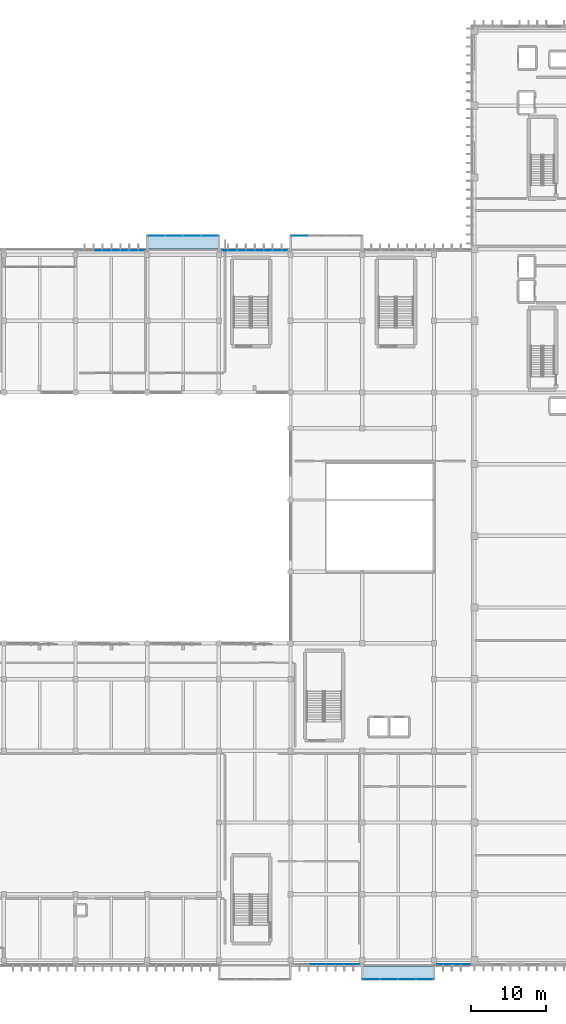
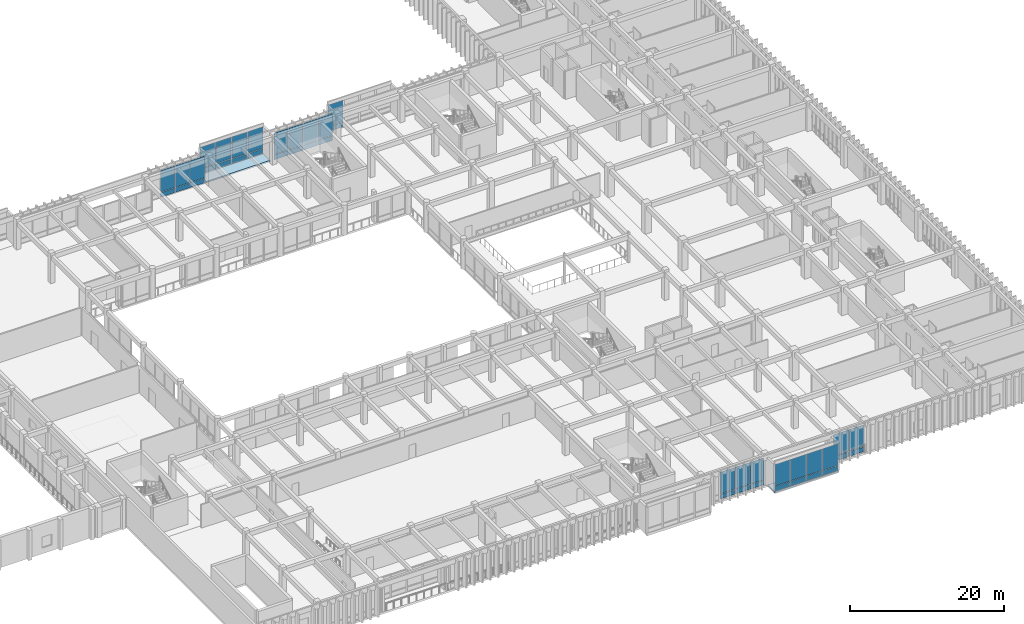
# One storey, part 92 of 133: 42 plates, 2 slabs, 7 elements without a shape of their own.
"""IFC4 building model written with IfcOpenShell, lengths in metres."""

from ifc_helpers import new_model, si_unit, direction, frame, origin, origin_2d, place, context, subcontext, project, spatial, polyline, rectangle, outline, extrude, material, layer, layer_set, type_object, element, aggregate, save


model = new_model("IFC4")

# Units and contexts
model_context = context("Model", 3, precision=1e-05, world=origin(), true_north=direction((0.0, 1.0)))
body_context = subcontext(model_context, "Body", "Model", "MODEL_VIEW")
ifc_project = project(units=[si_unit("LENGTHUNIT", "METRE"), si_unit("AREAUNIT", "SQUARE_METRE"), si_unit("VOLUMEUNIT", "CUBIC_METRE"), si_unit("PLANEANGLEUNIT", "RADIAN"), si_unit("MASSUNIT", "GRAM", prefix="KILO")], contexts=[model_context])

# Site, building, storey
site_placement = place(None, origin())
site = spatial("IfcSite", under=ifc_project, at=site_placement, CompositionType="ELEMENT")
building_placement = place(site_placement, origin())
building = spatial("IfcBuilding", under=site, at=building_placement, Name="Nakhvara Creek Congress Hotel", CompositionType="ELEMENT")
storey_placement = place(building_placement, frame((0.0, 0.0, 11.39990234375)))
storey = spatial("IfcBuildingStorey", under=building, at=storey_placement, Name="L02", CompositionType="ELEMENT", Elevation=11.39990234375)

# Curtain wall, plates
ifc_material_1 = material(Name="Bronze-anodised aluminium AW-6063-T6 and double-silver low-E glass", Category="aluminium")
ifc_layer_1 = layer(ifc_material_1, 0.219970703125)
ifc_layer_set_1 = layer_set([ifc_layer_1], Name="Bronze-anodised aluminium AW-6063-T6 and double-silver low-E glass")
curtain_wall_type_1 = type_object("IfcCurtainWallType", Name="CW-BOX-PROJ", PredefinedType="USERDEFINED", material=ifc_layer_set_1)
curtain_wall_1_placement = place(storey_placement, origin())
curtain_wall_1 = element("IfcCurtainWall", 1, at=curtain_wall_1_placement, inside=storey, type_object=curtain_wall_type_1, Name="Curtain Wall CW082", ObjectType="UNITISED", PredefinedType="USERDEFINED")
ifc_material_2 = material(Name="Double-silver solar-control low-E insulated glass", Category="glass")
plate_type = type_object("IfcPlateType", Name="PNL-GLZ-240X260", PredefinedType="CURTAIN_PANEL", material=ifc_material_2)
plate_1_placement = place(storey_placement, frame((106.820068359375, 97.800048828125, 0.0751953125), z_axis=(0.0, 0.0, 1.0), x_axis=(1.0, 0.0, 0.0)))
plate_1 = element("IfcPlate", 2, at=plate_1_placement, type_object=plate_type, Name="CW082 panel 1.1", PredefinedType="CURTAIN_PANEL", context=body_context, shape_type="SweptSolid", body=[
    extrude(rectangle(XDim=2.280029296875, YDim=0.030029296875, at=origin_2d()), origin(), (0.0, 0.0, 1.0), 0.737548828125),
])
plate_2_placement = place(storey_placement, frame((106.820068359375, 97.800048828125, 0.8876953125), z_axis=(0.0, 0.0, 1.0), x_axis=(1.0, 0.0, 0.0)))
plate_2 = element("IfcPlate", 3, at=plate_2_placement, type_object=plate_type, Name="CW082 panel 1.2", PredefinedType="CURTAIN_PANEL", context=body_context, shape_type="SweptSolid", body=[
    extrude(rectangle(XDim=2.280029296875, YDim=0.030029296875, at=origin_2d()), origin(), (0.0, 0.0, 1.0), 3.427490234375),
])
plate_3_placement = place(storey_placement, frame((109.199951171875, 97.800048828125, 0.0751953125), z_axis=(0.0, 0.0, 1.0), x_axis=(1.0, 0.0, 0.0)))
plate_3 = element("IfcPlate", 4, at=plate_3_placement, type_object=plate_type, Name="CW082 panel 2.1", PredefinedType="CURTAIN_PANEL", context=body_context, shape_type="SweptSolid", body=[
    extrude(rectangle(XDim=2.320068359375, YDim=0.030029296875, at=origin_2d()), origin(), (0.0, 0.0, 1.0), 0.737548828125),
])
plate_4_placement = place(storey_placement, frame((109.199951171875, 97.800048828125, 0.8876953125), z_axis=(0.0, 0.0, 1.0), x_axis=(1.0, 0.0, 0.0)))
plate_4 = element("IfcPlate", 5, at=plate_4_placement, type_object=plate_type, Name="CW082 panel 2.2", PredefinedType="CURTAIN_PANEL", context=body_context, shape_type="SweptSolid", body=[
    extrude(rectangle(XDim=2.320068359375, YDim=0.030029296875, at=origin_2d()), origin(), (0.0, 0.0, 1.0), 3.427490234375),
])
plate_5_placement = place(storey_placement, frame((111.60009765625, 97.800048828125, 0.0751953125), z_axis=(0.0, 0.0, 1.0), x_axis=(1.0, 0.0, 0.0)))
plate_5 = element("IfcPlate", 6, at=plate_5_placement, type_object=plate_type, Name="CW082 panel 3.1", PredefinedType="CURTAIN_PANEL", context=body_context, shape_type="SweptSolid", body=[
    extrude(rectangle(XDim=2.320068359375, YDim=0.030029296875, at=origin_2d()), origin(), (0.0, 0.0, 1.0), 0.737548828125),
])
plate_6_placement = place(storey_placement, frame((111.60009765625, 97.800048828125, 0.8876953125), z_axis=(0.0, 0.0, 1.0), x_axis=(1.0, 0.0, 0.0)))
plate_6 = element("IfcPlate", 7, at=plate_6_placement, type_object=plate_type, Name="CW082 panel 3.2", PredefinedType="CURTAIN_PANEL", context=body_context, shape_type="SweptSolid", body=[
    extrude(rectangle(XDim=2.320068359375, YDim=0.030029296875, at=origin_2d()), origin(), (0.0, 0.0, 1.0), 3.427490234375),
])
plate_7_placement = place(storey_placement, frame((113.97998046875, 97.800048828125, 0.0751953125), z_axis=(0.0, 0.0, 1.0), x_axis=(1.0, 0.0, 0.0)))
plate_7 = element("IfcPlate", 8, at=plate_7_placement, type_object=plate_type, Name="CW082 panel 4.1", PredefinedType="CURTAIN_PANEL", context=body_context, shape_type="SweptSolid", body=[
    extrude(rectangle(XDim=2.280029296875, YDim=0.030029296875, at=origin_2d()), origin(), (0.0, 0.0, 1.0), 0.737548828125),
])
plate_8_placement = place(storey_placement, frame((113.97998046875, 97.800048828125, 0.8876953125), z_axis=(0.0, 0.0, 1.0), x_axis=(1.0, 0.0, 0.0)))
plate_8 = element("IfcPlate", 9, at=plate_8_placement, type_object=plate_type, Name="CW082 panel 4.2", PredefinedType="CURTAIN_PANEL", context=body_context, shape_type="SweptSolid", body=[
    extrude(rectangle(XDim=2.280029296875, YDim=0.030029296875, at=origin_2d()), origin(), (0.0, 0.0, 1.0), 3.427490234375),
])
aggregate(curtain_wall_1, [plate_1, plate_2, plate_3, plate_4, plate_5, plate_6, plate_7, plate_8])

curtain_wall_2_placement = place(storey_placement, origin())
curtain_wall_2 = element("IfcCurtainWall", 10, at=curtain_wall_2_placement, inside=storey, type_object=curtain_wall_type_1, Name="Curtain Wall CW083", ObjectType="UNITISED", PredefinedType="USERDEFINED")
plate_9_placement = place(storey_placement, frame((126.02001953125, 97.800048828125, 0.0751953125), z_axis=(0.0, 0.0, 1.0), x_axis=(1.0, 0.0, 0.0)))
plate_9 = element("IfcPlate", 11, at=plate_9_placement, type_object=plate_type, Name="CW083 panel 1.1", PredefinedType="CURTAIN_PANEL", context=body_context, shape_type="SweptSolid", body=[
    extrude(rectangle(XDim=2.280029296875, YDim=0.030029296875, at=origin_2d()), origin(), (0.0, 0.0, 1.0), 0.737548828125),
])
plate_10_placement = place(storey_placement, frame((126.02001953125, 97.800048828125, 0.8876953125), z_axis=(0.0, 0.0, 1.0), x_axis=(1.0, 0.0, 0.0)))
plate_10 = element("IfcPlate", 12, at=plate_10_placement, type_object=plate_type, Name="CW083 panel 1.2", PredefinedType="CURTAIN_PANEL", context=body_context, shape_type="SweptSolid", body=[
    extrude(rectangle(XDim=2.280029296875, YDim=0.030029296875, at=origin_2d()), origin(), (0.0, 0.0, 1.0), 3.427490234375),
])
aggregate(curtain_wall_2, [plate_9, plate_10])

ifc_layer_2 = layer(ifc_material_1, 0.199951171875)
ifc_layer_set_2 = layer_set([ifc_layer_2], Name="Bronze-anodised aluminium AW-6063-T6 and double-silver low-E glass")
curtain_wall_type_2 = type_object("IfcCurtainWallType", Name="CW-POD-STICK", PredefinedType="NOTDEFINED", material=ifc_layer_set_2)
curtain_wall_3_placement = place(storey_placement, origin())
curtain_wall_3 = element("IfcCurtainWall", 13, at=curtain_wall_3_placement, inside=storey, type_object=curtain_wall_type_2, Name="Curtain Wall CW086", PredefinedType="NOTDEFINED")
plate_11_placement = place(storey_placement, frame((99.691162109375, 95.800048828125, 0.065185546875), z_axis=(0.0, 0.0, 1.0), x_axis=(1.0, 0.0, 0.0)))
plate_11 = element("IfcPlate", 14, at=plate_11_placement, type_object=plate_type, Name="CW086 panel 2.1", PredefinedType="CURTAIN_PANEL", context=body_context, shape_type="SweptSolid", body=[
    extrude(rectangle(XDim=2.152587890625, YDim=0.030029296875, at=origin_2d()), origin(), (0.0, 0.0, 1.0), 0.75244140625),
])
plate_12_placement = place(storey_placement, frame((99.691162109375, 95.800048828125, 0.882568359375), z_axis=(0.0, 0.0, 1.0), x_axis=(1.0, 0.0, 0.0)))
plate_12 = element("IfcPlate", 15, at=plate_12_placement, type_object=plate_type, Name="CW086 panel 2.2", PredefinedType="CURTAIN_PANEL", context=body_context, shape_type="SweptSolid", body=[
    extrude(rectangle(XDim=2.152587890625, YDim=0.030029296875, at=origin_2d()), origin(), (0.0, 0.0, 1.0), 3.4423828125),
])
plate_13_placement = place(storey_placement, frame((101.90869140625, 95.800048828125, 0.065185546875), z_axis=(0.0, 0.0, 1.0), x_axis=(1.0, 0.0, 0.0)))
plate_13 = element("IfcPlate", 16, at=plate_13_placement, type_object=plate_type, Name="CW086 panel 3.1", PredefinedType="CURTAIN_PANEL", context=body_context, shape_type="SweptSolid", body=[
    extrude(rectangle(XDim=2.152587890625, YDim=0.030029296875, at=origin_2d()), origin(), (0.0, 0.0, 1.0), 0.75244140625),
])
plate_14_placement = place(storey_placement, frame((101.90869140625, 95.800048828125, 0.882568359375), z_axis=(0.0, 0.0, 1.0), x_axis=(1.0, 0.0, 0.0)))
plate_14 = element("IfcPlate", 17, at=plate_14_placement, type_object=plate_type, Name="CW086 panel 3.2", PredefinedType="CURTAIN_PANEL", context=body_context, shape_type="SweptSolid", body=[
    extrude(rectangle(XDim=2.152587890625, YDim=0.030029296875, at=origin_2d()), origin(), (0.0, 0.0, 1.0), 3.4423828125),
])
plate_15_placement = place(storey_placement, frame((104.110107421875, 95.800048828125, 0.065185546875), z_axis=(0.0, 0.0, 1.0), x_axis=(1.0, 0.0, 0.0)))
plate_15 = element("IfcPlate", 18, at=plate_15_placement, type_object=plate_type, Name="CW086 panel 4.1", PredefinedType="CURTAIN_PANEL", context=body_context, shape_type="SweptSolid", body=[
    extrude(rectangle(XDim=2.1201171875, YDim=0.030029296875, at=origin_2d()), origin(), (0.0, 0.0, 1.0), 0.75244140625),
])
plate_16_placement = place(storey_placement, frame((104.110107421875, 95.800048828125, 0.882568359375), z_axis=(0.0, 0.0, 1.0), x_axis=(1.0, 0.0, 0.0)))
plate_16 = element("IfcPlate", 19, at=plate_16_placement, type_object=plate_type, Name="CW086 panel 4.2", PredefinedType="CURTAIN_PANEL", context=body_context, shape_type="SweptSolid", body=[
    extrude(rectangle(XDim=2.1201171875, YDim=0.030029296875, at=origin_2d()), origin(), (0.0, 0.0, 1.0), 3.4423828125),
])
aggregate(curtain_wall_3, [plate_11, plate_12, plate_13, plate_14, plate_15, plate_16])

curtain_wall_4_placement = place(storey_placement, origin())
curtain_wall_4 = element("IfcCurtainWall", 20, at=curtain_wall_4_placement, inside=storey, type_object=curtain_wall_type_2, Name="Curtain Wall CW087", PredefinedType="NOTDEFINED")
plate_17_placement = place(storey_placement, frame((116.68994140625, 95.800048828125, 0.065185546875), z_axis=(0.0, 0.0, 1.0), x_axis=(1.0, 0.0, 0.0)))
plate_17 = element("IfcPlate", 21, at=plate_17_placement, type_object=plate_type, Name="CW087 panel 1.1", PredefinedType="CURTAIN_PANEL", context=body_context, shape_type="SweptSolid", body=[
    extrude(rectangle(XDim=2.1201171875, YDim=0.030029296875, at=origin_2d()), origin(), (0.0, 0.0, 1.0), 0.75244140625),
])
plate_18_placement = place(storey_placement, frame((116.68994140625, 95.800048828125, 0.882568359375), z_axis=(0.0, 0.0, 1.0), x_axis=(1.0, 0.0, 0.0)))
plate_18 = element("IfcPlate", 22, at=plate_18_placement, type_object=plate_type, Name="CW087 panel 1.2", PredefinedType="CURTAIN_PANEL", context=body_context, shape_type="SweptSolid", body=[
    extrude(rectangle(XDim=2.1201171875, YDim=0.030029296875, at=origin_2d()), origin(), (0.0, 0.0, 1.0), 3.4423828125),
])
plate_19_placement = place(storey_placement, frame((118.891357421875, 95.800048828125, 0.065185546875), z_axis=(0.0, 0.0, 1.0), x_axis=(1.0, 0.0, 0.0)))
plate_19 = element("IfcPlate", 23, at=plate_19_placement, type_object=plate_type, Name="CW087 panel 2.1", PredefinedType="CURTAIN_PANEL", context=body_context, shape_type="SweptSolid", body=[
    extrude(rectangle(XDim=2.152587890625, YDim=0.030029296875, at=origin_2d()), origin(), (0.0, 0.0, 1.0), 0.75244140625),
])
plate_20_placement = place(storey_placement, frame((118.891357421875, 95.800048828125, 0.882568359375), z_axis=(0.0, 0.0, 1.0), x_axis=(1.0, 0.0, 0.0)))
plate_20 = element("IfcPlate", 24, at=plate_20_placement, type_object=plate_type, Name="CW087 panel 2.2", PredefinedType="CURTAIN_PANEL", context=body_context, shape_type="SweptSolid", body=[
    extrude(rectangle(XDim=2.152587890625, YDim=0.030029296875, at=origin_2d()), origin(), (0.0, 0.0, 1.0), 3.4423828125),
])
plate_21_placement = place(storey_placement, frame((121.108642578125, 95.800048828125, 0.065185546875), z_axis=(0.0, 0.0, 1.0), x_axis=(1.0, 0.0, 0.0)))
plate_21 = element("IfcPlate", 25, at=plate_21_placement, type_object=plate_type, Name="CW087 panel 3.1", PredefinedType="CURTAIN_PANEL", context=body_context, shape_type="SweptSolid", body=[
    extrude(rectangle(XDim=2.152587890625, YDim=0.030029296875, at=origin_2d()), origin(), (0.0, 0.0, 1.0), 0.75244140625),
])
plate_22_placement = place(storey_placement, frame((121.108642578125, 95.800048828125, 0.882568359375), z_axis=(0.0, 0.0, 1.0), x_axis=(1.0, 0.0, 0.0)))
plate_22 = element("IfcPlate", 26, at=plate_22_placement, type_object=plate_type, Name="CW087 panel 3.2", PredefinedType="CURTAIN_PANEL", context=body_context, shape_type="SweptSolid", body=[
    extrude(rectangle(XDim=2.152587890625, YDim=0.030029296875, at=origin_2d()), origin(), (0.0, 0.0, 1.0), 3.4423828125),
])
plate_23_placement = place(storey_placement, frame((123.31005859375, 95.800048828125, 0.065185546875), z_axis=(0.0, 0.0, 1.0), x_axis=(1.0, 0.0, 0.0)))
plate_23 = element("IfcPlate", 27, at=plate_23_placement, type_object=plate_type, Name="CW087 panel 4.1", PredefinedType="CURTAIN_PANEL", context=body_context, shape_type="SweptSolid", body=[
    extrude(rectangle(XDim=2.1201171875, YDim=0.030029296875, at=origin_2d()), origin(), (0.0, 0.0, 1.0), 0.75244140625),
])
plate_24_placement = place(storey_placement, frame((123.31005859375, 95.800048828125, 0.882568359375), z_axis=(0.0, 0.0, 1.0), x_axis=(1.0, 0.0, 0.0)))
plate_24 = element("IfcPlate", 28, at=plate_24_placement, type_object=plate_type, Name="CW087 panel 4.2", PredefinedType="CURTAIN_PANEL", context=body_context, shape_type="SweptSolid", body=[
    extrude(rectangle(XDim=2.1201171875, YDim=0.030029296875, at=origin_2d()), origin(), (0.0, 0.0, 1.0), 3.4423828125),
])
aggregate(curtain_wall_4, [plate_17, plate_18, plate_19, plate_20, plate_21, plate_22, plate_23, plate_24])

curtain_wall_5_placement = place(storey_placement, origin())
curtain_wall_5 = element("IfcCurtainWall", 29, at=curtain_wall_5_placement, inside=storey, type_object=curtain_wall_type_1, Name="Curtain Wall CW090", ObjectType="UNITISED", PredefinedType="USERDEFINED")
plate_25_placement = place(storey_placement, frame((142.780029296875, -1.800048828125, 0.0751953125), z_axis=(0.0, 0.0, 1.0), x_axis=(-1.0, 0.0, 0.0)))
plate_25 = element("IfcPlate", 30, at=plate_25_placement, type_object=plate_type, Name="CW090 panel 1.1", PredefinedType="CURTAIN_PANEL", context=body_context, shape_type="SweptSolid", body=[
    extrude(rectangle(XDim=2.280029296875, YDim=0.030029296875, at=origin_2d()), origin(), (0.0, 0.0, 1.0), 0.737548828125),
])
plate_26_placement = place(storey_placement, frame((142.780029296875, -1.800048828125, 0.8876953125), z_axis=(0.0, 0.0, 1.0), x_axis=(-1.0, 0.0, 0.0)))
plate_26 = element("IfcPlate", 31, at=plate_26_placement, type_object=plate_type, Name="CW090 panel 1.2", PredefinedType="CURTAIN_PANEL", context=body_context, shape_type="SweptSolid", body=[
    extrude(rectangle(XDim=2.280029296875, YDim=0.030029296875, at=origin_2d()), origin(), (0.0, 0.0, 1.0), 3.427490234375),
])
plate_27_placement = place(storey_placement, frame((140.39990234375, -1.800048828125, 0.0751953125), z_axis=(0.0, 0.0, 1.0), x_axis=(-1.0, 0.0, 0.0)))
plate_27 = element("IfcPlate", 32, at=plate_27_placement, type_object=plate_type, Name="CW090 panel 2.1", PredefinedType="CURTAIN_PANEL", context=body_context, shape_type="SweptSolid", body=[
    extrude(rectangle(XDim=2.320068359375, YDim=0.030029296875, at=origin_2d()), origin(), (0.0, 0.0, 1.0), 0.737548828125),
])
plate_28_placement = place(storey_placement, frame((140.39990234375, -1.800048828125, 0.8876953125), z_axis=(0.0, 0.0, 1.0), x_axis=(-1.0, 0.0, 0.0)))
plate_28 = element("IfcPlate", 33, at=plate_28_placement, type_object=plate_type, Name="CW090 panel 2.2", PredefinedType="CURTAIN_PANEL", context=body_context, shape_type="SweptSolid", body=[
    extrude(rectangle(XDim=2.320068359375, YDim=0.030029296875, at=origin_2d()), origin(), (0.0, 0.0, 1.0), 3.427490234375),
])
plate_29_placement = place(storey_placement, frame((138.0, -1.800048828125, 0.0751953125), z_axis=(0.0, 0.0, 1.0), x_axis=(-1.0, 0.0, 0.0)))
plate_29 = element("IfcPlate", 34, at=plate_29_placement, type_object=plate_type, Name="CW090 panel 3.1", PredefinedType="CURTAIN_PANEL", context=body_context, shape_type="SweptSolid", body=[
    extrude(rectangle(XDim=2.320068359375, YDim=0.030029296875, at=origin_2d()), origin(), (0.0, 0.0, 1.0), 0.737548828125),
])
plate_30_placement = place(storey_placement, frame((138.0, -1.800048828125, 0.8876953125), z_axis=(0.0, 0.0, 1.0), x_axis=(-1.0, 0.0, 0.0)))
plate_30 = element("IfcPlate", 35, at=plate_30_placement, type_object=plate_type, Name="CW090 panel 3.2", PredefinedType="CURTAIN_PANEL", context=body_context, shape_type="SweptSolid", body=[
    extrude(rectangle(XDim=2.320068359375, YDim=0.030029296875, at=origin_2d()), origin(), (0.0, 0.0, 1.0), 3.427490234375),
])
plate_31_placement = place(storey_placement, frame((135.6201171875, -1.800048828125, 0.0751953125), z_axis=(0.0, 0.0, 1.0), x_axis=(-1.0, 0.0, 0.0)))
plate_31 = element("IfcPlate", 36, at=plate_31_placement, type_object=plate_type, Name="CW090 panel 4.1", PredefinedType="CURTAIN_PANEL", context=body_context, shape_type="SweptSolid", body=[
    extrude(rectangle(XDim=2.280029296875, YDim=0.030029296875, at=origin_2d()), origin(), (0.0, 0.0, 1.0), 0.737548828125),
])
plate_32_placement = place(storey_placement, frame((135.6201171875, -1.800048828125, 0.8876953125), z_axis=(0.0, 0.0, 1.0), x_axis=(-1.0, 0.0, 0.0)))
plate_32 = element("IfcPlate", 37, at=plate_32_placement, type_object=plate_type, Name="CW090 panel 4.2", PredefinedType="CURTAIN_PANEL", context=body_context, shape_type="SweptSolid", body=[
    extrude(rectangle(XDim=2.280029296875, YDim=0.030029296875, at=origin_2d()), origin(), (0.0, 0.0, 1.0), 3.427490234375),
])
aggregate(curtain_wall_5, [plate_25, plate_26, plate_27, plate_28, plate_29, plate_30, plate_31, plate_32])

ifc_layer_3 = layer(ifc_material_1, 0.199951171875)
ifc_layer_set_3 = layer_set([ifc_layer_3], Name="Bronze-anodised aluminium AW-6063-T6 and double-silver low-E glass")
curtain_wall_type_3 = type_object("IfcCurtainWallType", Name="CW-SPA-STICK", PredefinedType="NOTDEFINED", material=ifc_layer_set_3)
curtain_wall_6_placement = place(storey_placement, origin())
curtain_wall_6 = element("IfcCurtainWall", 38, at=curtain_wall_6_placement, inside=storey, type_object=curtain_wall_type_3, Name="Curtain Wall CW096", PredefinedType="NOTDEFINED")
plate_33_placement = place(storey_placement, frame((132.909912109375, 0.199951171875, 0.065185546875), z_axis=(0.0, 0.0, 1.0), x_axis=(-1.0, 0.0, 0.0)))
plate_33 = element("IfcPlate", 39, at=plate_33_placement, type_object=plate_type, Name="CW096 panel 1.1", PredefinedType="CURTAIN_PANEL", context=body_context, shape_type="SweptSolid", body=[
    extrude(rectangle(XDim=2.1201171875, YDim=0.030029296875, at=origin_2d()), origin(), (0.0, 0.0, 1.0), 0.75244140625),
])
plate_34_placement = place(storey_placement, frame((132.909912109375, 0.199951171875, 0.882568359375), z_axis=(0.0, 0.0, 1.0), x_axis=(-1.0, 0.0, 0.0)))
plate_34 = element("IfcPlate", 40, at=plate_34_placement, type_object=plate_type, Name="CW096 panel 1.2", PredefinedType="CURTAIN_PANEL", context=body_context, shape_type="SweptSolid", body=[
    extrude(rectangle(XDim=2.1201171875, YDim=0.030029296875, at=origin_2d()), origin(), (0.0, 0.0, 1.0), 3.4423828125),
])
plate_35_placement = place(storey_placement, frame((130.708740234375, 0.199951171875, 0.065185546875), z_axis=(0.0, 0.0, 1.0), x_axis=(-1.0, 0.0, 0.0)))
plate_35 = element("IfcPlate", 41, at=plate_35_placement, type_object=plate_type, Name="CW096 panel 2.1", PredefinedType="CURTAIN_PANEL", context=body_context, shape_type="SweptSolid", body=[
    extrude(rectangle(XDim=2.152587890625, YDim=0.030029296875, at=origin_2d()), origin(), (0.0, 0.0, 1.0), 0.75244140625),
])
plate_36_placement = place(storey_placement, frame((130.708740234375, 0.199951171875, 0.882568359375), z_axis=(0.0, 0.0, 1.0), x_axis=(-1.0, 0.0, 0.0)))
plate_36 = element("IfcPlate", 42, at=plate_36_placement, type_object=plate_type, Name="CW096 panel 2.2", PredefinedType="CURTAIN_PANEL", context=body_context, shape_type="SweptSolid", body=[
    extrude(rectangle(XDim=2.152587890625, YDim=0.030029296875, at=origin_2d()), origin(), (0.0, 0.0, 1.0), 3.4423828125),
])
plate_37_placement = place(storey_placement, frame((128.4912109375, 0.199951171875, 0.065185546875), z_axis=(0.0, 0.0, 1.0), x_axis=(-1.0, 0.0, 0.0)))
plate_37 = element("IfcPlate", 43, at=plate_37_placement, type_object=plate_type, Name="CW096 panel 3.1", PredefinedType="CURTAIN_PANEL", context=body_context, shape_type="SweptSolid", body=[
    extrude(rectangle(XDim=2.152587890625, YDim=0.030029296875, at=origin_2d()), origin(), (0.0, 0.0, 1.0), 0.75244140625),
])
plate_38_placement = place(storey_placement, frame((128.4912109375, 0.199951171875, 0.882568359375), z_axis=(0.0, 0.0, 1.0), x_axis=(-1.0, 0.0, 0.0)))
plate_38 = element("IfcPlate", 44, at=plate_38_placement, type_object=plate_type, Name="CW096 panel 3.2", PredefinedType="CURTAIN_PANEL", context=body_context, shape_type="SweptSolid", body=[
    extrude(rectangle(XDim=2.152587890625, YDim=0.030029296875, at=origin_2d()), origin(), (0.0, 0.0, 1.0), 3.4423828125),
])
aggregate(curtain_wall_6, [plate_33, plate_34, plate_35, plate_36, plate_37, plate_38])

curtain_wall_7_placement = place(storey_placement, origin())
curtain_wall_7 = element("IfcCurtainWall", 45, at=curtain_wall_7_placement, inside=storey, type_object=curtain_wall_type_3, Name="Curtain Wall CW097", PredefinedType="NOTDEFINED")
plate_39_placement = place(storey_placement, frame((147.794921875, 0.199951171875, 0.065185546875), z_axis=(0.0, 0.0, 1.0), x_axis=(-1.0, 0.0, 0.0)))
plate_39 = element("IfcPlate", 46, at=plate_39_placement, type_object=plate_type, Name="CW097 panel 1.1", PredefinedType="CURTAIN_PANEL", context=body_context, shape_type="SweptSolid", body=[
    extrude(rectangle(XDim=2.199951171875, YDim=0.030029296875, at=origin_2d()), origin(), (0.0, 0.0, 1.0), 0.75244140625),
])
plate_40_placement = place(storey_placement, frame((147.794921875, 0.199951171875, 0.882568359375), z_axis=(0.0, 0.0, 1.0), x_axis=(-1.0, 0.0, 0.0)))
plate_40 = element("IfcPlate", 47, at=plate_40_placement, type_object=plate_type, Name="CW097 panel 1.2", PredefinedType="CURTAIN_PANEL", context=body_context, shape_type="SweptSolid", body=[
    extrude(rectangle(XDim=2.199951171875, YDim=0.030029296875, at=origin_2d()), origin(), (0.0, 0.0, 1.0), 3.4423828125),
])
plate_41_placement = place(storey_placement, frame((145.530029296875, 0.199951171875, 0.065185546875), z_axis=(0.0, 0.0, 1.0), x_axis=(-1.0, 0.0, 0.0)))
plate_41 = element("IfcPlate", 48, at=plate_41_placement, type_object=plate_type, Name="CW097 panel 2.1", PredefinedType="CURTAIN_PANEL", context=body_context, shape_type="SweptSolid", body=[
    extrude(rectangle(XDim=2.199951171875, YDim=0.030029296875, at=origin_2d()), origin(), (0.0, 0.0, 1.0), 0.75244140625),
])
plate_42_placement = place(storey_placement, frame((145.530029296875, 0.199951171875, 0.882568359375), z_axis=(0.0, 0.0, 1.0), x_axis=(-1.0, 0.0, 0.0)))
plate_42 = element("IfcPlate", 49, at=plate_42_placement, type_object=plate_type, Name="CW097 panel 2.2", PredefinedType="CURTAIN_PANEL", context=body_context, shape_type="SweptSolid", body=[
    extrude(rectangle(XDim=2.199951171875, YDim=0.030029296875, at=origin_2d()), origin(), (0.0, 0.0, 1.0), 3.4423828125),
])
aggregate(curtain_wall_7, [plate_39, plate_40, plate_41, plate_42])

# Slabs
ifc_material_3 = material(Name="Concrete C40/50", Category="concrete")
ifc_layer_4 = layer(ifc_material_3, 0.219970703125)
ifc_layer_set_4 = layer_set([ifc_layer_4], Name="Concrete C40/50")
slab_type = type_object("IfcSlabType", Name="SL-FLR-220", PredefinedType="FLOOR", material=ifc_layer_set_4)
slab_1_placement = place(storey_placement, frame((0.0, 0.0, -0.219970703125)))
element("IfcSlab", 50, at=slab_1_placement, inside=storey, type_object=slab_type, Name="Structural Slab SLB-PBOX-L02-N2", PredefinedType="FLOOR", context=body_context, shape_type="SweptSolid", body=[
    extrude(outline(polyline([(105.60009765625, 96.0), (115.199951171875, 96.0), (115.199951171875, 97.800048828125), (105.60009765625, 97.800048828125), (105.60009765625, 96.0)])), origin(), (0.0, 0.0, 1.0), 0.219970703125),
])
slab_2_placement = place(storey_placement, frame((0.0, 0.0, -0.219970703125)))
element("IfcSlab", 51, at=slab_2_placement, inside=storey, type_object=slab_type, Name="Structural Slab SLB-PBOX-L02-S2", PredefinedType="FLOOR", context=body_context, shape_type="SweptSolid", body=[
    extrude(outline(polyline([(134.39990234375, -1.800048828125), (144.0, -1.800048828125), (144.0, 0.0), (134.39990234375, 0.0), (134.39990234375, -1.800048828125)])), origin(), (0.0, 0.0, 1.0), 0.219970703125),
])

save(model, "model.ifc")
